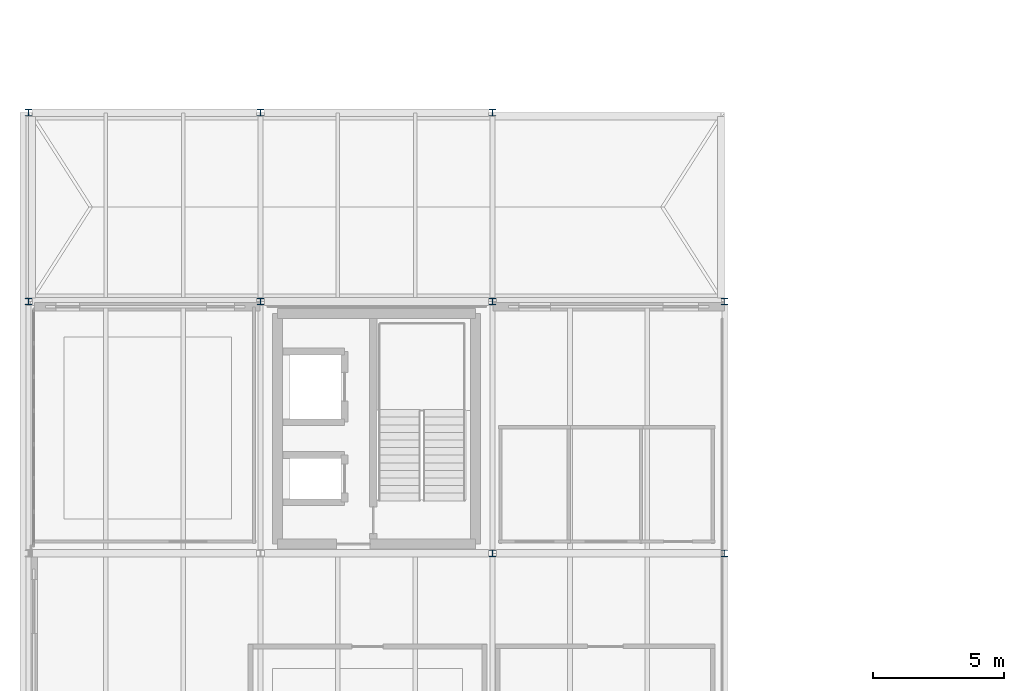
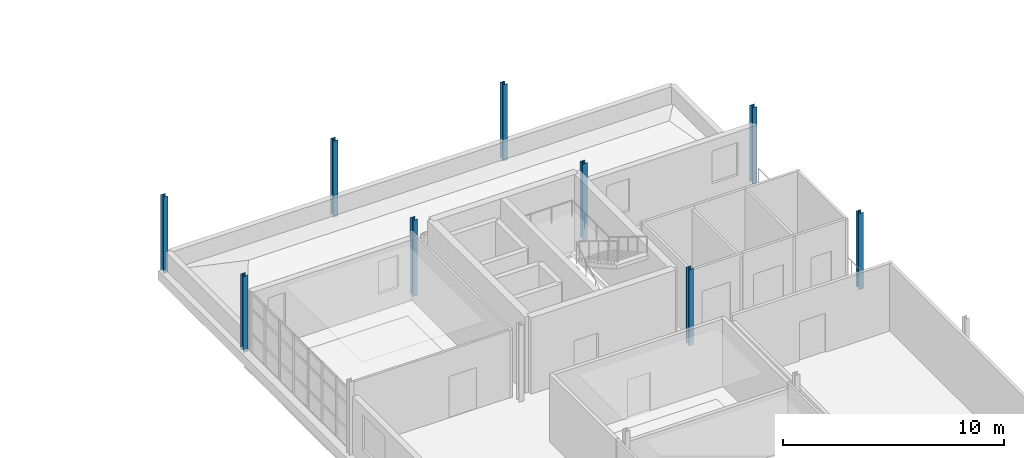
# One storey, part 2 of 28: 9 columns.
"""IFC4 building model written with IfcOpenShell, lengths in metres."""

import ifcopenshell
import ifcopenshell.guid

model = None  # the IFC model being written
_history = None  # IfcOwnerHistory: only IFC2X3 demands one
_inside = {}  # id of a spatial element -> (the spatial element, [elements in it])
_under = {}  # id of a project, library or spatial element -> (it, [spatial elements below it])
_declared = {}  # id of a project -> (the project, [libraries it declares])
_typed = {}  # id of a type object -> (the type object, [elements of that type])
_made_of = {}  # id of a material, layer set ... -> (it, [elements and type objects made of it])


def new_model(schema):
    """Start an empty IFC model of exactly this schema.

    Asked for "IFC4X3", IfcOpenShell would pick the latest addendum, in which some entities
    have other attributes; the version numbers below select the first issue.
    IFC2X3 requires an IfcOwnerHistory on every rooted entity: one is made here for all.
    """
    global model, _history
    if schema == "IFC4X3":
        model = ifcopenshell.file(schema_version=(4, 3, 0, 0))
    else:
        model = ifcopenshell.file(schema=schema)
    _inside.clear()
    _under.clear()
    _declared.clear()
    _typed.clear()
    _made_of.clear()
    _history = None
    if model.schema == "IFC2X3":
        org = make("IfcOrganization", Name="unknown")
        user = make(
            "IfcPersonAndOrganization",
            ThePerson=make("IfcPerson", FamilyName="unknown"),
            TheOrganization=org,
        )
        app = make(
            "IfcApplication",
            ApplicationDeveloper=org,
            Version="unknown",
            ApplicationFullName="unknown",
            ApplicationIdentifier="unknown",
        )
        _history = make(
            "IfcOwnerHistory",
            OwningUser=user,
            OwningApplication=app,
            ChangeAction="ADDED",
            CreationDate=0,
        )
    return model


def make(cls, **values):
    """One entity of the class cls with the attributes given. An attribute that is None is left unset."""
    return model.create_entity(
        cls, **{name: value for name, value in values.items() if value is not None}
    )


def rooted(cls, **values):
    """An entity with a GlobalId (a new one), such as an element, a storey or a relation."""
    return make(cls, GlobalId=ifcopenshell.guid.new(), OwnerHistory=_history, **values)


def si_unit(unit_type, name, prefix=None):
    """IfcSIUnit, for example si_unit("LENGTHUNIT", "METRE", prefix="MILLI")."""
    return make("IfcSIUnit", UnitType=unit_type, Prefix=prefix, Name=name)


def assignment(units):
    """IfcUnitAssignment: the units of a project."""
    return None if units is None else make("IfcUnitAssignment", Units=units)


def point(xyz):
    """IfcCartesianPoint."""
    return None if xyz is None else make("IfcCartesianPoint", Coordinates=xyz)


def direction(xyz):
    """IfcDirection."""
    return None if xyz is None else make("IfcDirection", DirectionRatios=xyz)


def frame(location, z_axis=None, x_axis=None):
    """IfcAxis2Placement3D, a coordinate frame: its origin and axes. An axis left out is left unset."""
    return make(
        "IfcAxis2Placement3D",
        Location=point(location),
        Axis=direction(z_axis),
        RefDirection=direction(x_axis),
    )


def frame_2d(location, x_axis=None):
    """IfcAxis2Placement2D, a coordinate frame in the plane: its origin and x axis."""
    return make(
        "IfcAxis2Placement2D", Location=point(location), RefDirection=direction(x_axis)
    )


def origin():
    """The frame at (0, 0, 0) with its axes left unset."""
    return frame((0.0, 0.0, 0.0))


def origin_2d():
    """The frame at (0, 0) in the plane with its x axis left unset."""
    return frame_2d((0.0, 0.0))


def place(relative_to, where):
    """IfcLocalPlacement: puts the frame where relative to a parent placement (None: the world)."""
    return make(
        "IfcLocalPlacement", PlacementRelTo=relative_to, RelativePlacement=where
    )


def context(
    kind, dimensions, precision=None, world=None, true_north=None, identifier=None
):
    """IfcGeometricRepresentationContext, for example the 3D "Model" context."""
    return make(
        "IfcGeometricRepresentationContext",
        ContextIdentifier=identifier,
        ContextType=kind,
        CoordinateSpaceDimension=dimensions,
        Precision=precision,
        WorldCoordinateSystem=world,
        TrueNorth=true_north,
    )


def subcontext(parent, identifier, kind, view, scale=None):
    """IfcGeometricRepresentationSubContext, for example "Body" below "Model"."""
    return make(
        "IfcGeometricRepresentationSubContext",
        ContextIdentifier=identifier,
        ContextType=kind,
        ParentContext=parent,
        TargetScale=scale,
        TargetView=view,
    )


def project(units=None, contexts=None):
    """IfcProject with its units and contexts."""
    return rooted(
        "IfcProject",
        Name="project",
        RepresentationContexts=contexts,
        UnitsInContext=assignment(units),
    )


def spatial(cls, under=None, at=None, **own):
    """A site, building, storey or space (cls), placed at a placement, below another one or the project."""
    s = rooted(cls, ObjectPlacement=at, **own)
    if under is not None:
        _under.setdefault(under.id(), (under, []))[1].append(s)
    return s


def profile(cls, at=None, kind="AREA", **sizes):
    """A parametric profile (cls). Its sizes go by their IFC names, for example OverallWidth=200.0."""
    return make(cls, ProfileType=kind, Position=at, **sizes)


def i_section(**sizes):
    """IfcIShapeProfileDef."""
    return profile("IfcIShapeProfileDef", **sizes)


def extrude(swept, where, along, depth):
    """IfcExtrudedAreaSolid: the profile swept, set in the frame where, extruded along a direction by depth."""
    return make(
        "IfcExtrudedAreaSolid",
        SweptArea=swept,
        Position=where,
        ExtrudedDirection=direction(along),
        Depth=depth,
    )


def shape(context_of_items, identifier, shape_type, items):
    """IfcShapeRepresentation: the items that make up one representation, for example the "Body"."""
    return make(
        "IfcShapeRepresentation",
        ContextOfItems=context_of_items,
        RepresentationIdentifier=identifier,
        RepresentationType=shape_type,
        Items=items,
    )


def material(Name=None, Category=None):
    """IfcMaterial."""
    return make("IfcMaterial", Name=Name, Category=Category)


def material_profile(
    of_material, cross_section, Name=None, Category=None, Priority=None
):
    """IfcMaterialProfile: a cross section and its material."""
    return make(
        "IfcMaterialProfile",
        Name=Name,
        Material=of_material,
        Profile=cross_section,
        Priority=Priority,
        Category=Category,
    )


def profile_set(profiles, Name=None, composite=None):
    """IfcMaterialProfileSet."""
    return make(
        "IfcMaterialProfileSet",
        Name=Name,
        MaterialProfiles=profiles,
        CompositeProfile=composite,
    )


def made_of(thing, what):
    """Note that an element or type object is made of a material, layer set ...; save() writes the relation."""
    if what is not None:
        _made_of.setdefault(what.id(), (what, []))[1].append(thing)
    return thing


def type_object(cls, material=None, **own):
    """A type object (cls), such as IfcWallType, which elements share."""
    return made_of(rooted(cls, **own), material)


def element(
    cls,
    number,
    at=None,
    inside=None,
    cuts=None,
    type_object=None,
    material=None,
    context=None,
    identifier="Body",
    shape_type=None,
    held_by="IfcProductDefinitionShape",
    body=None,
    shapes=None,
    **own,
):
    """One element of the class cls, such as IfcWall. Its Tag is "e" and its number.

    at: its placement. inside: the storey or other place that contains it. cuts: it is an
    opening in that element (IfcRelVoidsElement). A single representation is given by context,
    identifier, shape_type and body (its items); several are given by shapes. held_by: the class
    of the entity that holds the representations. save() writes the other relations.
    """
    e = rooted(cls, Tag="e%d" % number, ObjectPlacement=at, **own)
    if body is not None:
        shapes = [shape(context, identifier, shape_type, body)]
    if shapes is not None:
        e.Representation = make(held_by, Representations=shapes)
    if inside is not None:
        _inside.setdefault(inside.id(), (inside, []))[1].append(e)
    if cuts is not None:
        rooted(
            "IfcRelVoidsElement", RelatingBuildingElement=cuts, RelatedOpeningElement=e
        )
    if type_object is not None:
        _typed.setdefault(type_object.id(), (type_object, []))[1].append(e)
    return made_of(e, material)


def aggregate(whole, parts):
    """IfcRelAggregates: a whole, such as a stair, and the parts it consists of."""
    return rooted("IfcRelAggregates", RelatingObject=whole, RelatedObjects=parts)


def save(model, path):
    """Write the relations noted so far, then the file.

    IfcRelAggregates (storeys below a building ...), IfcRelContainedInSpatialStructure (elements
    in a storey), IfcRelDefinesByType, IfcRelAssociatesMaterial and IfcRelDeclares: one each for
    every whole, place, type object, material and project.
    """
    for whole, parts in _under.values():
        aggregate(whole, parts)
    for where, things in _inside.values():
        rooted(
            "IfcRelContainedInSpatialStructure",
            RelatedElements=things,
            RelatingStructure=where,
        )
    for kind, things in _typed.values():
        rooted("IfcRelDefinesByType", RelatedObjects=things, RelatingType=kind)
    for what, things in _made_of.values():
        rooted("IfcRelAssociatesMaterial", RelatedObjects=things, RelatingMaterial=what)
    for by, libraries in _declared.values():
        rooted("IfcRelDeclares", RelatingContext=by, RelatedDefinitions=libraries)
    model.write(path)


model = new_model("IFC4")

# Units and contexts
model_context = context("Model", 3, precision=1e-05, world=origin(), true_north=direction((0.0, 1.0)))
body_context = subcontext(model_context, "Body", "Model", "MODEL_VIEW")
ifc_project = project(units=[si_unit("LENGTHUNIT", "METRE"), si_unit("AREAUNIT", "SQUARE_METRE"), si_unit("VOLUMEUNIT", "CUBIC_METRE"), si_unit("PLANEANGLEUNIT", "RADIAN"), si_unit("MASSUNIT", "GRAM", prefix="KILO")], contexts=[model_context])

# Site, building, storey
site_placement = place(None, origin())
site = spatial("IfcSite", under=ifc_project, at=site_placement, CompositionType="ELEMENT")
building_placement = place(site_placement, origin())
building = spatial("IfcBuilding", under=site, at=building_placement, Name="Yeouljin Market Hall", CompositionType="ELEMENT")
storey_placement = place(building_placement, frame((0.0, 0.0, 15.0)))
storey = spatial("IfcBuildingStorey", under=building, at=storey_placement, Name="L03", CompositionType="ELEMENT", Elevation=15.0)

# Columns
ifc_material = material(Name="Steel SM355", Category="steel")
ifc_material_profile = material_profile(ifc_material, i_section(OverallWidth=0.25, OverallDepth=0.25, WebThickness=0.009033203125, FlangeThickness=0.013916015625, FilletRadius=0.01611328125, at=origin_2d()), Name="H-250x250x9x14")
ifc_profile_set = profile_set([ifc_material_profile], Name="Steel SM355")
column_type = type_object("IfcColumnType", Name="Col_H-250x250x9x14", PredefinedType="COLUMN", material=ifc_profile_set)
for number, where, z_axis, x_axis, name in (
    (1, (0.0, 28.800048828125, 0.0), (0.0, 0.0, 1.0), (1.0, 0.0, 0.0), "Column G-00-03 (L03)"),
    (2, (0.0, 36.0, 0.0), (0.0, 0.0, 1.0), (1.0, 0.0, 0.0), "Column G-00-04 (L03)"),
    (3, (8.85009765625, 28.800048828125, 0.0), (0.0, 0.0, 1.0), (1.0, 0.0, 0.0), "Column G-01-03 (L03)"),
    (4, (8.85009765625, 36.0, 0.0), (0.0, 0.0, 1.0), (1.0, 0.0, 0.0), "Column G-01-04 (L03)"),
    (5, (17.699951171875, 19.199951171875, 0.0), (0.0, 0.0, 1.0), (1.0, 0.0, 0.0), "Column G-02-02 (L03)"),
    (6, (17.699951171875, 28.800048828125, 0.0), (0.0, 0.0, 1.0), (1.0, 0.0, 0.0), "Column G-02-03 (L03)"),
    (7, (17.699951171875, 36.0, 0.0), (0.0, 0.0, 1.0), (1.0, 0.0, 0.0), "Column G-02-04 (L03)"),
    (8, (26.550048828125, 19.199951171875, 0.0), (0.0, 0.0, 1.0), (1.0, 0.0, 0.0), "Column G-03-02 (L03)"),
    (9, (26.550048828125, 28.800048828125, 0.0), (0.0, 0.0, 1.0), (1.0, 0.0, 0.0), "Column G-03-03 (L03)"),
):
    element("IfcColumn", number, at=place(storey_placement, frame(where, z_axis=z_axis, x_axis=x_axis)), inside=storey, type_object=column_type, Name=name, PredefinedType="COLUMN", context=body_context, shape_type="SweptSolid", body=[
        extrude(i_section(OverallWidth=0.25, OverallDepth=0.25, WebThickness=0.009033203125, FlangeThickness=0.013916015625, FilletRadius=0.01611328125, at=origin_2d()), origin(), (0.0, 0.0, 1.0), 4.199951171875),
    ])

save(model, "model.ifc")
